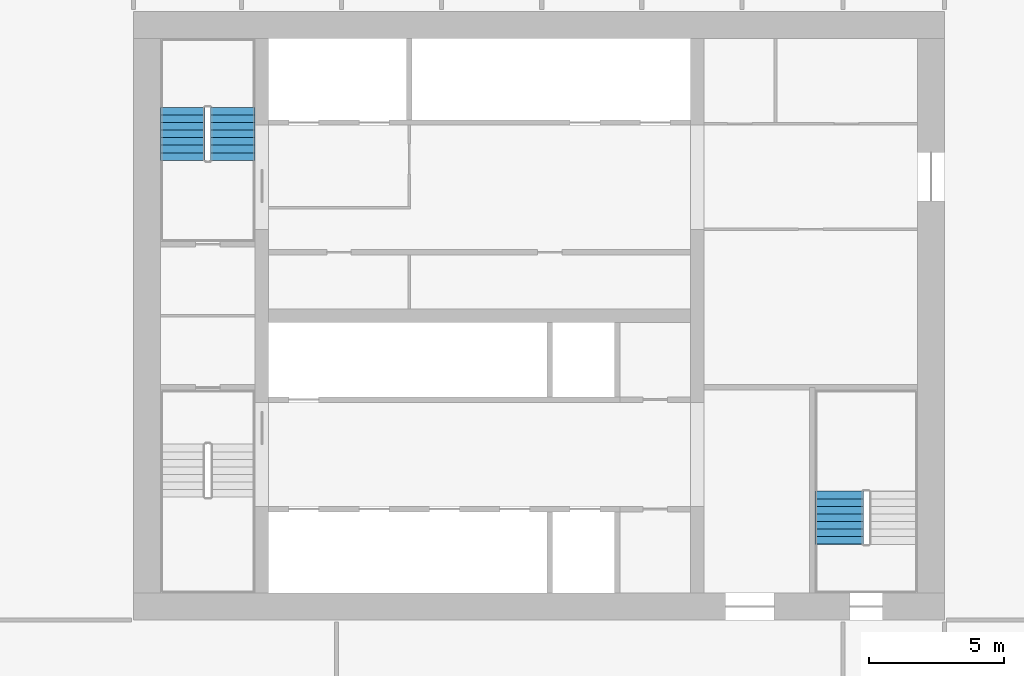
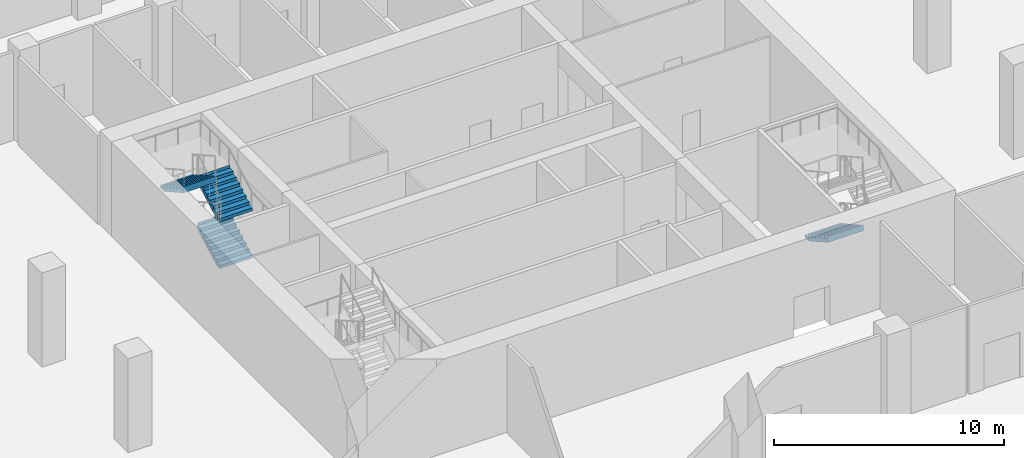
# One storey, part 14 of 22: 4 stair flights, 2 elements without a shape of their own.
"""IFC4 building model written with IfcOpenShell, lengths in metres."""

from ifc_helpers import new_model, si_unit, direction, frame, origin, place, context, subcontext, project, spatial, polyline, outline, extrude, material, type_object, element, aggregate, save


model = new_model("IFC4")

# Units and contexts
model_context = context("Model", 3, precision=1e-05, world=origin(), true_north=direction((0.0, 1.0)))
body_context = subcontext(model_context, "Body", "Model", "MODEL_VIEW")
ifc_project = project(units=[si_unit("LENGTHUNIT", "METRE"), si_unit("AREAUNIT", "SQUARE_METRE"), si_unit("VOLUMEUNIT", "CUBIC_METRE"), si_unit("PLANEANGLEUNIT", "RADIAN"), si_unit("MASSUNIT", "GRAM", prefix="KILO")], contexts=[model_context])

# Site, building, storey
site_placement = place(None, origin())
site = spatial("IfcSite", under=ifc_project, at=site_placement, CompositionType="ELEMENT")
building_placement = place(site_placement, origin())
building = spatial("IfcBuilding", under=site, at=building_placement, Name="Tamorin Gate", CompositionType="ELEMENT")
storey_placement = place(building_placement, frame((0.0, 0.0, 29.0)))
storey = spatial("IfcBuildingStorey", under=building, at=storey_placement, Name="L05", CompositionType="ELEMENT", Elevation=29.0)

# Stair, stair flights
ifc_material = material(Name="Concrete C40/50", Category="concrete")
stair_type = type_object("IfcStairType", Name="Exit stair", PredefinedType="HALF_TURN_STAIR", material=ifc_material)
stair_1_placement = place(storey_placement, origin())
stair_1 = element("IfcStair", 1, at=stair_1_placement, inside=storey, type_object=stair_type, Name="L05 stair ST2", PredefinedType="HALF_TURN_STAIR")
stair_flight_type = type_object("IfcStairFlightType", Name="Exit stair flight", PredefinedType="STRAIGHT", material=ifc_material)
stair_flight_1_placement = place(storey_placement, frame((33.675048828125, 77.0, 0.0), z_axis=(0.0, 0.0, 1.0), x_axis=(0.0, 1.0, 0.0)))
stair_flight_1 = element("IfcStairFlight", 2, at=stair_flight_1_placement, type_object=stair_flight_type, Name="ST2 flight 1", NumberOfRisers=8, NumberOfTreads=7, PredefinedType="STRAIGHT", RiserHeight=0.15625, TreadLength=0.28, context=body_context, shape_type="SweptSolid", body=[
    extrude(outline(polyline([(-0.00048828125, 0.0), (-0.00048828125, 0.00146484375), (-0.00048828125, 0.003173828125), (-0.00048828125, 0.004638671875), (-0.00048828125, 0.006103515625), (-0.00048828125, 0.0078125), (-0.00048828125, 0.00927734375), (-0.00048828125, 0.0107421875), (-0.00048828125, 0.012451171875), (-0.00048828125, 0.013916015625), (-0.00048828125, 0.015380859375), (-0.00048828125, 0.01708984375), (-0.00048828125, 0.0185546875), (-0.00048828125, 0.02001953125), (-0.00048828125, 0.021728515625), (-0.00048828125, 0.023193359375), (-0.00048828125, 0.024658203125), (-0.00048828125, 0.0263671875), (-0.00048828125, 0.02783203125), (-0.00048828125, 0.029296875), (-0.00048828125, 0.031005859375), (-0.00048828125, 0.032470703125), (-0.00048828125, 0.033935546875), (-0.00048828125, 0.03564453125), (-0.00048828125, 0.037109375), (-0.00048828125, 0.03857421875), (-0.00048828125, 0.040283203125), (-0.00048828125, 0.041748046875), (-0.00048828125, 0.043212890625), (-0.00048828125, 0.044921875), (-0.00048828125, 0.04638671875), (-0.00048828125, 0.0478515625), (-0.00048828125, 0.049560546875), (-0.00048828125, 0.051025390625), (-0.00048828125, 0.052490234375), (-0.00048828125, 0.05419921875), (-0.00048828125, 0.0556640625), (-0.00048828125, 0.05712890625), (-0.00048828125, 0.058837890625), (-0.00048828125, 0.060302734375), (-0.00048828125, 0.061767578125), (-0.00048828125, 0.0634765625), (-0.00048828125, 0.06494140625), (-0.00048828125, 0.06640625), (-0.00048828125, 0.068115234375), (-0.00048828125, 0.069580078125), (-0.00048828125, 0.071044921875), (-0.00048828125, 0.07275390625), (-0.00048828125, 0.07421875), (-0.00048828125, 0.07568359375), (-0.00048828125, 0.077392578125), (-0.00048828125, 0.078857421875), (-0.00048828125, 0.08056640625), (-0.00048828125, 0.08203125), (-0.00048828125, 0.08349609375), (-0.00048828125, 0.085205078125), (-0.00048828125, 0.086669921875), (-0.00048828125, 0.088134765625), (-0.00048828125, 0.08984375), (-0.00048828125, 0.09130859375), (-0.00048828125, 0.0927734375), (-0.00048828125, 0.094482421875), (-0.00048828125, 0.095947265625), (-0.00048828125, 0.097412109375), (-0.00048828125, 0.09912109375), (-0.00048828125, 0.1005859375), (-0.00048828125, 0.10205078125), (-0.00048828125, 0.103759765625), (-0.00048828125, 0.105224609375), (-0.00048828125, 0.106689453125), (-0.00048828125, 0.1083984375), (-0.00048828125, 0.10986328125), (-0.00048828125, 0.111328125), (-0.00048828125, 0.113037109375), (-0.00048828125, 0.114501953125), (-0.00048828125, 0.115966796875), (-0.00048828125, 0.11767578125), (-0.00048828125, 0.119140625), (-0.00048828125, 0.12060546875), (-0.00048828125, 0.122314453125), (-0.00048828125, 0.123779296875), (-0.00048828125, 0.125244140625), (-0.00048828125, 0.126953125), (-0.00048828125, 0.12841796875), (-0.00048828125, 0.1298828125), (-0.00048828125, 0.131591796875), (-0.00048828125, 0.133056640625), (-0.00048828125, 0.134521484375), (-0.00048828125, 0.13623046875), (-0.00048828125, 0.1376953125), (-0.00048828125, 0.13916015625), (-0.00048828125, 0.140869140625), (-0.00048828125, 0.142333984375), (-0.00048828125, 0.143798828125), (-0.00048828125, 0.1455078125), (-0.00048828125, 0.14697265625), (-0.00048828125, 0.1484375), (-0.00048828125, 0.150146484375), (-0.00048828125, 0.151611328125), (-0.00048828125, 0.153076171875), (-0.00048828125, 0.15478515625), (-0.00048828125, 0.15625), (0.280029296875, 0.15625), (0.280029296875, 0.3125), (0.56005859375, 0.3125), (0.56005859375, 0.46875), (0.840087890625, 0.46875), (0.840087890625, 0.625), (1.1201171875, 0.625), (1.1201171875, 0.78125), (1.39990234375, 0.78125), (1.39990234375, 0.9375), (1.679931640625, 0.9375), (1.679931640625, 1.09375), (1.9599609375, 1.09375), (1.9599609375, 1.25), (1.96044921875, 1.25), (1.96044921875, 1.246826171875), (1.96044921875, 1.243408203125), (1.96044921875, 1.240234375), (1.96044921875, 1.237060546875), (1.96044921875, 1.23388671875), (1.96044921875, 1.23046875), (1.96044921875, 1.227294921875), (1.96044921875, 1.22412109375), (1.96044921875, 1.220703125), (1.96044921875, 1.217529296875), (1.96044921875, 1.21435546875), (1.96044921875, 1.2109375), (1.96044921875, 1.207763671875), (1.96044921875, 1.20458984375), (1.96044921875, 1.201416015625), (1.96044921875, 1.197998046875), (1.96044921875, 1.19482421875), (1.96044921875, 1.191650390625), (1.96044921875, 1.188232421875), (1.96044921875, 1.18505859375), (1.96044921875, 1.181884765625), (1.96044921875, 1.178466796875), (1.96044921875, 1.17529296875), (1.96044921875, 1.172119140625), (1.96044921875, 1.1689453125), (1.96044921875, 1.16552734375), (1.96044921875, 1.162353515625), (1.96044921875, 1.1591796875), (1.96044921875, 1.15576171875), (1.96044921875, 1.152587890625), (1.96044921875, 1.1494140625), (1.96044921875, 1.14599609375), (1.96044921875, 1.142822265625), (1.96044921875, 1.1396484375), (1.96044921875, 1.136474609375), (1.96044921875, 1.133056640625), (1.96044921875, 1.1298828125), (1.96044921875, 1.126708984375), (1.96044921875, 1.123291015625), (1.96044921875, 1.1201171875), (1.96044921875, 1.116943359375), (1.96044921875, 1.113525390625), (1.96044921875, 1.1103515625), (1.96044921875, 1.107177734375), (1.96044921875, 1.10400390625), (1.96044921875, 1.1005859375), (1.96044921875, 1.097412109375), (1.96044921875, 1.09423828125), (1.96044921875, 1.0908203125), (1.96044921875, 1.087646484375), (1.96044921875, 1.08447265625), (1.96044921875, 1.0810546875), (1.96044921875, 1.077880859375), (1.96044921875, 1.07470703125), (1.96044921875, 1.071533203125), (1.96044921875, 1.068115234375), (1.96044921875, 1.06494140625), (1.96044921875, 1.061767578125), (1.96044921875, 1.058349609375), (1.96044921875, 1.05517578125), (1.96044921875, 1.052001953125), (1.96044921875, 1.048828125), (1.96044921875, 1.04541015625), (1.96044921875, 1.042236328125), (1.96044921875, 1.0390625), (1.96044921875, 1.03564453125), (1.96044921875, 1.032470703125), (1.96044921875, 1.029296875), (1.96044921875, 1.02587890625), (1.96044921875, 1.022705078125), (1.96044921875, 1.01953125), (1.96044921875, 1.016357421875), (1.96044921875, 1.012939453125), (1.96044921875, 1.009765625), (1.96044921875, 1.006591796875), (1.96044921875, 1.003173828125), (1.96044921875, 1.0), (1.96044921875, 0.996826171875), (1.96044921875, 0.993408203125), (1.96044921875, 0.990234375), (1.96044921875, 0.987060546875), (1.96044921875, 0.98388671875), (1.96044921875, 0.98046875), (1.96044921875, 0.977294921875), (1.96044921875, 0.97412109375), (1.96044921875, 0.970703125), (1.96044921875, 0.967529296875), (1.96044921875, 0.96435546875), (1.96044921875, 0.9609375), (1.96044921875, 0.957763671875), (1.96044921875, 0.95458984375), (1.96044921875, 0.951416015625), (1.96044921875, 0.947998046875), (1.96044921875, 0.94482421875), (1.96044921875, 0.941650390625), (1.96044921875, 0.938232421875), (1.96044921875, 0.93505859375), (1.96044921875, 0.931884765625), (1.96044921875, 0.928466796875), (1.96044921875, 0.92529296875), (1.96044921875, 0.922119140625), (1.9599609375, 0.922119140625), (0.3076171875, 0.0), (-0.00048828125, 0.0)])), frame((0.0, 0.824951171875, 0.0), z_axis=(0.0, -1.0, 0.0), x_axis=(1.0, 0.0, 0.0)), (0.0, 0.0, 1.0), 1.64990234375),
])
stair_flight_2_placement = place(storey_placement, frame((33.675048828125, 77.0, 2.5), z_axis=(0.0, 0.0, 1.0), x_axis=(0.0, 1.0, 0.0)))
stair_flight_2 = element("IfcStairFlight", 3, at=stair_flight_2_placement, type_object=stair_flight_type, Name="ST2 flight 3", NumberOfRisers=8, NumberOfTreads=7, PredefinedType="STRAIGHT", RiserHeight=0.15625, TreadLength=0.28, context=body_context, shape_type="SweptSolid", body=[
    extrude(outline(polyline([(-0.00048828125, 0.0), (-0.00048828125, 0.00146484375), (-0.00048828125, 0.003173828125), (-0.00048828125, 0.004638671875), (-0.00048828125, 0.006103515625), (-0.00048828125, 0.0078125), (-0.00048828125, 0.00927734375), (-0.00048828125, 0.0107421875), (-0.00048828125, 0.012451171875), (-0.00048828125, 0.013916015625), (-0.00048828125, 0.015380859375), (-0.00048828125, 0.01708984375), (-0.00048828125, 0.0185546875), (-0.00048828125, 0.02001953125), (-0.00048828125, 0.021728515625), (-0.00048828125, 0.023193359375), (-0.00048828125, 0.024658203125), (-0.00048828125, 0.0263671875), (-0.00048828125, 0.02783203125), (-0.00048828125, 0.029296875), (-0.00048828125, 0.031005859375), (-0.00048828125, 0.032470703125), (-0.00048828125, 0.033935546875), (-0.00048828125, 0.03564453125), (-0.00048828125, 0.037109375), (-0.00048828125, 0.03857421875), (-0.00048828125, 0.040283203125), (-0.00048828125, 0.041748046875), (-0.00048828125, 0.043212890625), (-0.00048828125, 0.044921875), (-0.00048828125, 0.04638671875), (-0.00048828125, 0.0478515625), (-0.00048828125, 0.049560546875), (-0.00048828125, 0.051025390625), (-0.00048828125, 0.052490234375), (-0.00048828125, 0.05419921875), (-0.00048828125, 0.0556640625), (-0.00048828125, 0.05712890625), (-0.00048828125, 0.058837890625), (-0.00048828125, 0.060302734375), (-0.00048828125, 0.061767578125), (-0.00048828125, 0.0634765625), (-0.00048828125, 0.06494140625), (-0.00048828125, 0.06640625), (-0.00048828125, 0.068115234375), (-0.00048828125, 0.069580078125), (-0.00048828125, 0.071044921875), (-0.00048828125, 0.07275390625), (-0.00048828125, 0.07421875), (-0.00048828125, 0.07568359375), (-0.00048828125, 0.077392578125), (-0.00048828125, 0.078857421875), (-0.00048828125, 0.08056640625), (-0.00048828125, 0.08203125), (-0.00048828125, 0.08349609375), (-0.00048828125, 0.085205078125), (-0.00048828125, 0.086669921875), (-0.00048828125, 0.088134765625), (-0.00048828125, 0.08984375), (-0.00048828125, 0.09130859375), (-0.00048828125, 0.0927734375), (-0.00048828125, 0.094482421875), (-0.00048828125, 0.095947265625), (-0.00048828125, 0.097412109375), (-0.00048828125, 0.09912109375), (-0.00048828125, 0.1005859375), (-0.00048828125, 0.10205078125), (-0.00048828125, 0.103759765625), (-0.00048828125, 0.105224609375), (-0.00048828125, 0.106689453125), (-0.00048828125, 0.1083984375), (-0.00048828125, 0.10986328125), (-0.00048828125, 0.111328125), (-0.00048828125, 0.113037109375), (-0.00048828125, 0.114501953125), (-0.00048828125, 0.115966796875), (-0.00048828125, 0.11767578125), (-0.00048828125, 0.119140625), (-0.00048828125, 0.12060546875), (-0.00048828125, 0.122314453125), (-0.00048828125, 0.123779296875), (-0.00048828125, 0.125244140625), (-0.00048828125, 0.126953125), (-0.00048828125, 0.12841796875), (-0.00048828125, 0.1298828125), (-0.00048828125, 0.131591796875), (-0.00048828125, 0.133056640625), (-0.00048828125, 0.134521484375), (-0.00048828125, 0.13623046875), (-0.00048828125, 0.1376953125), (-0.00048828125, 0.13916015625), (-0.00048828125, 0.140869140625), (-0.00048828125, 0.142333984375), (-0.00048828125, 0.143798828125), (-0.00048828125, 0.1455078125), (-0.00048828125, 0.14697265625), (-0.00048828125, 0.1484375), (-0.00048828125, 0.150146484375), (-0.00048828125, 0.151611328125), (-0.00048828125, 0.153076171875), (-0.00048828125, 0.15478515625), (-0.00048828125, 0.15625), (0.280029296875, 0.15625), (0.280029296875, 0.3125), (0.56005859375, 0.3125), (0.56005859375, 0.46875), (0.840087890625, 0.46875), (0.840087890625, 0.625), (1.1201171875, 0.625), (1.1201171875, 0.78125), (1.39990234375, 0.78125), (1.39990234375, 0.9375), (1.679931640625, 0.9375), (1.679931640625, 1.09375), (1.9599609375, 1.09375), (1.9599609375, 1.25), (1.96044921875, 1.25), (1.96044921875, 1.246826171875), (1.96044921875, 1.243408203125), (1.96044921875, 1.240234375), (1.96044921875, 1.237060546875), (1.96044921875, 1.23388671875), (1.96044921875, 1.23046875), (1.96044921875, 1.227294921875), (1.96044921875, 1.22412109375), (1.96044921875, 1.220703125), (1.96044921875, 1.217529296875), (1.96044921875, 1.21435546875), (1.96044921875, 1.2109375), (1.96044921875, 1.207763671875), (1.96044921875, 1.20458984375), (1.96044921875, 1.201416015625), (1.96044921875, 1.197998046875), (1.96044921875, 1.19482421875), (1.96044921875, 1.191650390625), (1.96044921875, 1.188232421875), (1.96044921875, 1.18505859375), (1.96044921875, 1.181884765625), (1.96044921875, 1.178466796875), (1.96044921875, 1.17529296875), (1.96044921875, 1.172119140625), (1.96044921875, 1.1689453125), (1.96044921875, 1.16552734375), (1.96044921875, 1.162353515625), (1.96044921875, 1.1591796875), (1.96044921875, 1.15576171875), (1.96044921875, 1.152587890625), (1.96044921875, 1.1494140625), (1.96044921875, 1.14599609375), (1.96044921875, 1.142822265625), (1.96044921875, 1.1396484375), (1.96044921875, 1.136474609375), (1.96044921875, 1.133056640625), (1.96044921875, 1.1298828125), (1.96044921875, 1.126708984375), (1.96044921875, 1.123291015625), (1.96044921875, 1.1201171875), (1.96044921875, 1.116943359375), (1.96044921875, 1.113525390625), (1.96044921875, 1.1103515625), (1.96044921875, 1.107177734375), (1.96044921875, 1.10400390625), (1.96044921875, 1.1005859375), (1.96044921875, 1.097412109375), (1.96044921875, 1.09423828125), (1.96044921875, 1.0908203125), (1.96044921875, 1.087646484375), (1.96044921875, 1.08447265625), (1.96044921875, 1.0810546875), (1.96044921875, 1.077880859375), (1.96044921875, 1.07470703125), (1.96044921875, 1.071533203125), (1.96044921875, 1.068115234375), (1.96044921875, 1.06494140625), (1.96044921875, 1.061767578125), (1.96044921875, 1.058349609375), (1.96044921875, 1.05517578125), (1.96044921875, 1.052001953125), (1.96044921875, 1.048828125), (1.96044921875, 1.04541015625), (1.96044921875, 1.042236328125), (1.96044921875, 1.0390625), (1.96044921875, 1.03564453125), (1.96044921875, 1.032470703125), (1.96044921875, 1.029296875), (1.96044921875, 1.02587890625), (1.96044921875, 1.022705078125), (1.96044921875, 1.01953125), (1.96044921875, 1.016357421875), (1.96044921875, 1.012939453125), (1.96044921875, 1.009765625), (1.96044921875, 1.006591796875), (1.96044921875, 1.003173828125), (1.96044921875, 1.0), (1.96044921875, 0.996826171875), (1.96044921875, 0.993408203125), (1.96044921875, 0.990234375), (1.96044921875, 0.987060546875), (1.96044921875, 0.98388671875), (1.96044921875, 0.98046875), (1.96044921875, 0.977294921875), (1.96044921875, 0.97412109375), (1.96044921875, 0.970703125), (1.96044921875, 0.967529296875), (1.96044921875, 0.96435546875), (1.96044921875, 0.9609375), (1.96044921875, 0.957763671875), (1.96044921875, 0.95458984375), (1.96044921875, 0.951416015625), (1.96044921875, 0.947998046875), (1.96044921875, 0.94482421875), (1.96044921875, 0.941650390625), (1.96044921875, 0.938232421875), (1.96044921875, 0.93505859375), (1.96044921875, 0.931884765625), (1.96044921875, 0.928466796875), (1.96044921875, 0.92529296875), (1.96044921875, 0.922119140625), (1.9599609375, 0.922119140625), (0.3076171875, 0.0), (-0.00048828125, 0.0)])), frame((0.0, 0.824951171875, 0.0), z_axis=(0.0, -1.0, 0.0), x_axis=(1.0, 0.0, 0.0)), (0.0, 0.0, 1.0), 1.64990234375),
])
stair_flight_3_placement = place(storey_placement, frame((31.824951171875, 78.9599609375, 3.75), z_axis=(0.0, 0.0, 1.0), x_axis=(0.0, -1.0, 0.0)))
stair_flight_3 = element("IfcStairFlight", 4, at=stair_flight_3_placement, type_object=stair_flight_type, Name="ST2 flight 4", NumberOfRisers=8, NumberOfTreads=7, PredefinedType="STRAIGHT", RiserHeight=0.15625, TreadLength=0.28, context=body_context, shape_type="SweptSolid", body=[
    extrude(outline(polyline([(-0.00048828125, 0.0), (-0.00048828125, 0.00146484375), (-0.00048828125, 0.003173828125), (-0.00048828125, 0.004638671875), (-0.00048828125, 0.006103515625), (-0.00048828125, 0.0078125), (-0.00048828125, 0.00927734375), (-0.00048828125, 0.0107421875), (-0.00048828125, 0.012451171875), (-0.00048828125, 0.013916015625), (-0.00048828125, 0.015380859375), (-0.00048828125, 0.01708984375), (-0.00048828125, 0.0185546875), (-0.00048828125, 0.02001953125), (-0.00048828125, 0.021728515625), (-0.00048828125, 0.023193359375), (-0.00048828125, 0.024658203125), (-0.00048828125, 0.0263671875), (-0.00048828125, 0.02783203125), (-0.00048828125, 0.029296875), (-0.00048828125, 0.031005859375), (-0.00048828125, 0.032470703125), (-0.00048828125, 0.033935546875), (-0.00048828125, 0.03564453125), (-0.00048828125, 0.037109375), (-0.00048828125, 0.03857421875), (-0.00048828125, 0.040283203125), (-0.00048828125, 0.041748046875), (-0.00048828125, 0.043212890625), (-0.00048828125, 0.044921875), (-0.00048828125, 0.04638671875), (-0.00048828125, 0.0478515625), (-0.00048828125, 0.049560546875), (-0.00048828125, 0.051025390625), (-0.00048828125, 0.052490234375), (-0.00048828125, 0.05419921875), (-0.00048828125, 0.0556640625), (-0.00048828125, 0.05712890625), (-0.00048828125, 0.058837890625), (-0.00048828125, 0.060302734375), (-0.00048828125, 0.061767578125), (-0.00048828125, 0.0634765625), (-0.00048828125, 0.06494140625), (-0.00048828125, 0.06640625), (-0.00048828125, 0.068115234375), (-0.00048828125, 0.069580078125), (-0.00048828125, 0.071044921875), (-0.00048828125, 0.07275390625), (-0.00048828125, 0.07421875), (-0.00048828125, 0.07568359375), (-0.00048828125, 0.077392578125), (-0.00048828125, 0.078857421875), (-0.00048828125, 0.08056640625), (-0.00048828125, 0.08203125), (-0.00048828125, 0.08349609375), (-0.00048828125, 0.085205078125), (-0.00048828125, 0.086669921875), (-0.00048828125, 0.088134765625), (-0.00048828125, 0.08984375), (-0.00048828125, 0.09130859375), (-0.00048828125, 0.0927734375), (-0.00048828125, 0.094482421875), (-0.00048828125, 0.095947265625), (-0.00048828125, 0.097412109375), (-0.00048828125, 0.09912109375), (-0.00048828125, 0.1005859375), (-0.00048828125, 0.10205078125), (-0.00048828125, 0.103759765625), (-0.00048828125, 0.105224609375), (-0.00048828125, 0.106689453125), (-0.00048828125, 0.1083984375), (-0.00048828125, 0.10986328125), (-0.00048828125, 0.111328125), (-0.00048828125, 0.113037109375), (-0.00048828125, 0.114501953125), (-0.00048828125, 0.115966796875), (-0.00048828125, 0.11767578125), (-0.00048828125, 0.119140625), (-0.00048828125, 0.12060546875), (-0.00048828125, 0.122314453125), (-0.00048828125, 0.123779296875), (-0.00048828125, 0.125244140625), (-0.00048828125, 0.126953125), (-0.00048828125, 0.12841796875), (-0.00048828125, 0.1298828125), (-0.00048828125, 0.131591796875), (-0.00048828125, 0.133056640625), (-0.00048828125, 0.134521484375), (-0.00048828125, 0.13623046875), (-0.00048828125, 0.1376953125), (-0.00048828125, 0.13916015625), (-0.00048828125, 0.140869140625), (-0.00048828125, 0.142333984375), (-0.00048828125, 0.143798828125), (-0.00048828125, 0.1455078125), (-0.00048828125, 0.14697265625), (-0.00048828125, 0.1484375), (-0.00048828125, 0.150146484375), (-0.00048828125, 0.151611328125), (-0.00048828125, 0.153076171875), (-0.00048828125, 0.15478515625), (-0.00048828125, 0.15625), (0.280029296875, 0.15625), (0.280029296875, 0.3125), (0.56005859375, 0.3125), (0.56005859375, 0.46875), (0.840087890625, 0.46875), (0.840087890625, 0.625), (1.1201171875, 0.625), (1.1201171875, 0.78125), (1.39990234375, 0.78125), (1.39990234375, 0.9375), (1.679931640625, 0.9375), (1.679931640625, 1.09375), (1.9599609375, 1.09375), (1.9599609375, 1.25), (1.96044921875, 1.25), (1.96044921875, 1.246826171875), (1.96044921875, 1.243408203125), (1.96044921875, 1.240234375), (1.96044921875, 1.237060546875), (1.96044921875, 1.23388671875), (1.96044921875, 1.23046875), (1.96044921875, 1.227294921875), (1.96044921875, 1.22412109375), (1.96044921875, 1.220703125), (1.96044921875, 1.217529296875), (1.96044921875, 1.21435546875), (1.96044921875, 1.2109375), (1.96044921875, 1.207763671875), (1.96044921875, 1.20458984375), (1.96044921875, 1.201416015625), (1.96044921875, 1.197998046875), (1.96044921875, 1.19482421875), (1.96044921875, 1.191650390625), (1.96044921875, 1.188232421875), (1.96044921875, 1.18505859375), (1.96044921875, 1.181884765625), (1.96044921875, 1.178466796875), (1.96044921875, 1.17529296875), (1.96044921875, 1.172119140625), (1.96044921875, 1.1689453125), (1.96044921875, 1.16552734375), (1.96044921875, 1.162353515625), (1.96044921875, 1.1591796875), (1.96044921875, 1.15576171875), (1.96044921875, 1.152587890625), (1.96044921875, 1.1494140625), (1.96044921875, 1.14599609375), (1.96044921875, 1.142822265625), (1.96044921875, 1.1396484375), (1.96044921875, 1.136474609375), (1.96044921875, 1.133056640625), (1.96044921875, 1.1298828125), (1.96044921875, 1.126708984375), (1.96044921875, 1.123291015625), (1.96044921875, 1.1201171875), (1.96044921875, 1.116943359375), (1.96044921875, 1.113525390625), (1.96044921875, 1.1103515625), (1.96044921875, 1.107177734375), (1.96044921875, 1.10400390625), (1.96044921875, 1.1005859375), (1.96044921875, 1.097412109375), (1.96044921875, 1.09423828125), (1.96044921875, 1.0908203125), (1.96044921875, 1.087646484375), (1.96044921875, 1.08447265625), (1.96044921875, 1.0810546875), (1.96044921875, 1.077880859375), (1.96044921875, 1.07470703125), (1.96044921875, 1.071533203125), (1.96044921875, 1.068115234375), (1.96044921875, 1.06494140625), (1.96044921875, 1.061767578125), (1.96044921875, 1.058349609375), (1.96044921875, 1.05517578125), (1.96044921875, 1.052001953125), (1.96044921875, 1.048828125), (1.96044921875, 1.04541015625), (1.96044921875, 1.042236328125), (1.96044921875, 1.0390625), (1.96044921875, 1.03564453125), (1.96044921875, 1.032470703125), (1.96044921875, 1.029296875), (1.96044921875, 1.02587890625), (1.96044921875, 1.022705078125), (1.96044921875, 1.01953125), (1.96044921875, 1.016357421875), (1.96044921875, 1.012939453125), (1.96044921875, 1.009765625), (1.96044921875, 1.006591796875), (1.96044921875, 1.003173828125), (1.96044921875, 1.0), (1.96044921875, 0.996826171875), (1.96044921875, 0.993408203125), (1.96044921875, 0.990234375), (1.96044921875, 0.987060546875), (1.96044921875, 0.98388671875), (1.96044921875, 0.98046875), (1.96044921875, 0.977294921875), (1.96044921875, 0.97412109375), (1.96044921875, 0.970703125), (1.96044921875, 0.967529296875), (1.96044921875, 0.96435546875), (1.96044921875, 0.9609375), (1.96044921875, 0.957763671875), (1.96044921875, 0.95458984375), (1.96044921875, 0.951416015625), (1.96044921875, 0.947998046875), (1.96044921875, 0.94482421875), (1.96044921875, 0.941650390625), (1.96044921875, 0.938232421875), (1.96044921875, 0.93505859375), (1.96044921875, 0.931884765625), (1.96044921875, 0.928466796875), (1.96044921875, 0.92529296875), (1.96044921875, 0.922119140625), (1.9599609375, 0.922119140625), (0.3076171875, 0.0), (-0.00048828125, 0.0)])), frame((0.0, 0.824951171875, 0.0), z_axis=(0.0, -1.0, 0.0), x_axis=(1.0, 0.0, 0.0)), (0.0, 0.0, 1.0), 1.64990234375),
])
aggregate(stair_1, [stair_flight_1, stair_flight_2, stair_flight_3])

# Stair, stair flight
stair_2_placement = place(storey_placement, origin())
stair_2 = element("IfcStair", 5, at=stair_2_placement, inside=storey, type_object=stair_type, Name="L05 stair ST3", PredefinedType="HALF_TURN_STAIR")
stair_flight_4_placement = place(storey_placement, frame((56.10009765625, 64.760009765625, 1.25), z_axis=(0.0, 0.0, 1.0), x_axis=(0.0, -1.0, 0.0)))
stair_flight_4 = element("IfcStairFlight", 6, at=stair_flight_4_placement, type_object=stair_flight_type, Name="ST3 flight 2", NumberOfRisers=8, NumberOfTreads=7, PredefinedType="STRAIGHT", RiserHeight=0.15625, TreadLength=0.28, context=body_context, shape_type="SweptSolid", body=[
    extrude(outline(polyline([(-0.00048828125, 0.0), (-0.00048828125, 0.00146484375), (-0.00048828125, 0.003173828125), (-0.00048828125, 0.004638671875), (-0.00048828125, 0.006103515625), (-0.00048828125, 0.0078125), (-0.00048828125, 0.00927734375), (-0.00048828125, 0.0107421875), (-0.00048828125, 0.012451171875), (-0.00048828125, 0.013916015625), (-0.00048828125, 0.015380859375), (-0.00048828125, 0.01708984375), (-0.00048828125, 0.0185546875), (-0.00048828125, 0.02001953125), (-0.00048828125, 0.021728515625), (-0.00048828125, 0.023193359375), (-0.00048828125, 0.024658203125), (-0.00048828125, 0.0263671875), (-0.00048828125, 0.02783203125), (-0.00048828125, 0.029296875), (-0.00048828125, 0.031005859375), (-0.00048828125, 0.032470703125), (-0.00048828125, 0.033935546875), (-0.00048828125, 0.03564453125), (-0.00048828125, 0.037109375), (-0.00048828125, 0.03857421875), (-0.00048828125, 0.040283203125), (-0.00048828125, 0.041748046875), (-0.00048828125, 0.043212890625), (-0.00048828125, 0.044921875), (-0.00048828125, 0.04638671875), (-0.00048828125, 0.0478515625), (-0.00048828125, 0.049560546875), (-0.00048828125, 0.051025390625), (-0.00048828125, 0.052490234375), (-0.00048828125, 0.05419921875), (-0.00048828125, 0.0556640625), (-0.00048828125, 0.05712890625), (-0.00048828125, 0.058837890625), (-0.00048828125, 0.060302734375), (-0.00048828125, 0.061767578125), (-0.00048828125, 0.0634765625), (-0.00048828125, 0.06494140625), (-0.00048828125, 0.06640625), (-0.00048828125, 0.068115234375), (-0.00048828125, 0.069580078125), (-0.00048828125, 0.071044921875), (-0.00048828125, 0.07275390625), (-0.00048828125, 0.07421875), (-0.00048828125, 0.07568359375), (-0.00048828125, 0.077392578125), (-0.00048828125, 0.078857421875), (-0.00048828125, 0.08056640625), (-0.00048828125, 0.08203125), (-0.00048828125, 0.08349609375), (-0.00048828125, 0.085205078125), (-0.00048828125, 0.086669921875), (-0.00048828125, 0.088134765625), (-0.00048828125, 0.08984375), (-0.00048828125, 0.09130859375), (-0.00048828125, 0.0927734375), (-0.00048828125, 0.094482421875), (-0.00048828125, 0.095947265625), (-0.00048828125, 0.097412109375), (-0.00048828125, 0.09912109375), (-0.00048828125, 0.1005859375), (-0.00048828125, 0.10205078125), (-0.00048828125, 0.103759765625), (-0.00048828125, 0.105224609375), (-0.00048828125, 0.106689453125), (-0.00048828125, 0.1083984375), (-0.00048828125, 0.10986328125), (-0.00048828125, 0.111328125), (-0.00048828125, 0.113037109375), (-0.00048828125, 0.114501953125), (-0.00048828125, 0.115966796875), (-0.00048828125, 0.11767578125), (-0.00048828125, 0.119140625), (-0.00048828125, 0.12060546875), (-0.00048828125, 0.122314453125), (-0.00048828125, 0.123779296875), (-0.00048828125, 0.125244140625), (-0.00048828125, 0.126953125), (-0.00048828125, 0.12841796875), (-0.00048828125, 0.1298828125), (-0.00048828125, 0.131591796875), (-0.00048828125, 0.133056640625), (-0.00048828125, 0.134521484375), (-0.00048828125, 0.13623046875), (-0.00048828125, 0.1376953125), (-0.00048828125, 0.13916015625), (-0.00048828125, 0.140869140625), (-0.00048828125, 0.142333984375), (-0.00048828125, 0.143798828125), (-0.00048828125, 0.1455078125), (-0.00048828125, 0.14697265625), (-0.00048828125, 0.1484375), (-0.00048828125, 0.150146484375), (-0.00048828125, 0.151611328125), (-0.00048828125, 0.153076171875), (-0.00048828125, 0.15478515625), (-0.00048828125, 0.15625), (0.280029296875, 0.15625), (0.280029296875, 0.3125), (0.56005859375, 0.3125), (0.56005859375, 0.46875), (0.840087890625, 0.46875), (0.840087890625, 0.625), (1.1201171875, 0.625), (1.1201171875, 0.78125), (1.39990234375, 0.78125), (1.39990234375, 0.9375), (1.679931640625, 0.9375), (1.679931640625, 1.09375), (1.9599609375, 1.09375), (1.9599609375, 1.25), (1.96044921875, 1.25), (1.96044921875, 1.246826171875), (1.96044921875, 1.243408203125), (1.96044921875, 1.240234375), (1.96044921875, 1.237060546875), (1.96044921875, 1.23388671875), (1.96044921875, 1.23046875), (1.96044921875, 1.227294921875), (1.96044921875, 1.22412109375), (1.96044921875, 1.220703125), (1.96044921875, 1.217529296875), (1.96044921875, 1.21435546875), (1.96044921875, 1.2109375), (1.96044921875, 1.207763671875), (1.96044921875, 1.20458984375), (1.96044921875, 1.201416015625), (1.96044921875, 1.197998046875), (1.96044921875, 1.19482421875), (1.96044921875, 1.191650390625), (1.96044921875, 1.188232421875), (1.96044921875, 1.18505859375), (1.96044921875, 1.181884765625), (1.96044921875, 1.178466796875), (1.96044921875, 1.17529296875), (1.96044921875, 1.172119140625), (1.96044921875, 1.1689453125), (1.96044921875, 1.16552734375), (1.96044921875, 1.162353515625), (1.96044921875, 1.1591796875), (1.96044921875, 1.15576171875), (1.96044921875, 1.152587890625), (1.96044921875, 1.1494140625), (1.96044921875, 1.14599609375), (1.96044921875, 1.142822265625), (1.96044921875, 1.1396484375), (1.96044921875, 1.136474609375), (1.96044921875, 1.133056640625), (1.96044921875, 1.1298828125), (1.96044921875, 1.126708984375), (1.96044921875, 1.123291015625), (1.96044921875, 1.1201171875), (1.96044921875, 1.116943359375), (1.96044921875, 1.113525390625), (1.96044921875, 1.1103515625), (1.96044921875, 1.107177734375), (1.96044921875, 1.10400390625), (1.96044921875, 1.1005859375), (1.96044921875, 1.097412109375), (1.96044921875, 1.09423828125), (1.96044921875, 1.0908203125), (1.96044921875, 1.087646484375), (1.96044921875, 1.08447265625), (1.96044921875, 1.0810546875), (1.96044921875, 1.077880859375), (1.96044921875, 1.07470703125), (1.96044921875, 1.071533203125), (1.96044921875, 1.068115234375), (1.96044921875, 1.06494140625), (1.96044921875, 1.061767578125), (1.96044921875, 1.058349609375), (1.96044921875, 1.05517578125), (1.96044921875, 1.052001953125), (1.96044921875, 1.048828125), (1.96044921875, 1.04541015625), (1.96044921875, 1.042236328125), (1.96044921875, 1.0390625), (1.96044921875, 1.03564453125), (1.96044921875, 1.032470703125), (1.96044921875, 1.029296875), (1.96044921875, 1.02587890625), (1.96044921875, 1.022705078125), (1.96044921875, 1.01953125), (1.96044921875, 1.016357421875), (1.96044921875, 1.012939453125), (1.96044921875, 1.009765625), (1.96044921875, 1.006591796875), (1.96044921875, 1.003173828125), (1.96044921875, 1.0), (1.96044921875, 0.996826171875), (1.96044921875, 0.993408203125), (1.96044921875, 0.990234375), (1.96044921875, 0.987060546875), (1.96044921875, 0.98388671875), (1.96044921875, 0.98046875), (1.96044921875, 0.977294921875), (1.96044921875, 0.97412109375), (1.96044921875, 0.970703125), (1.96044921875, 0.967529296875), (1.96044921875, 0.96435546875), (1.96044921875, 0.9609375), (1.96044921875, 0.957763671875), (1.96044921875, 0.95458984375), (1.96044921875, 0.951416015625), (1.96044921875, 0.947998046875), (1.96044921875, 0.94482421875), (1.96044921875, 0.941650390625), (1.96044921875, 0.938232421875), (1.96044921875, 0.93505859375), (1.96044921875, 0.931884765625), (1.96044921875, 0.928466796875), (1.96044921875, 0.92529296875), (1.96044921875, 0.922119140625), (1.9599609375, 0.922119140625), (0.3076171875, 0.0), (-0.00048828125, 0.0)])), frame((0.0, 0.89990234375, 0.0), z_axis=(0.0, -1.0, 0.0), x_axis=(1.0, 0.0, 0.0)), (0.0, 0.0, 1.0), 1.800048828125),
])
aggregate(stair_2, [stair_flight_4])

save(model, "model.ifc")
